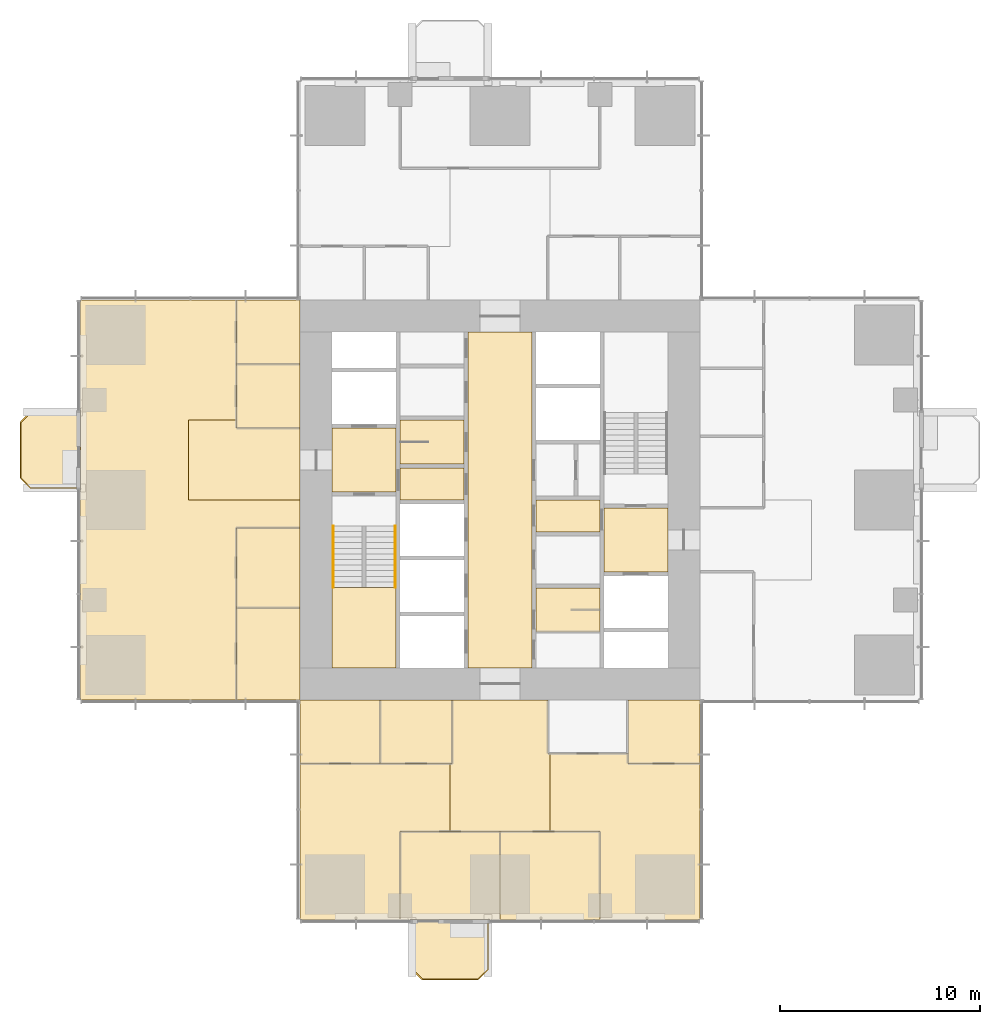
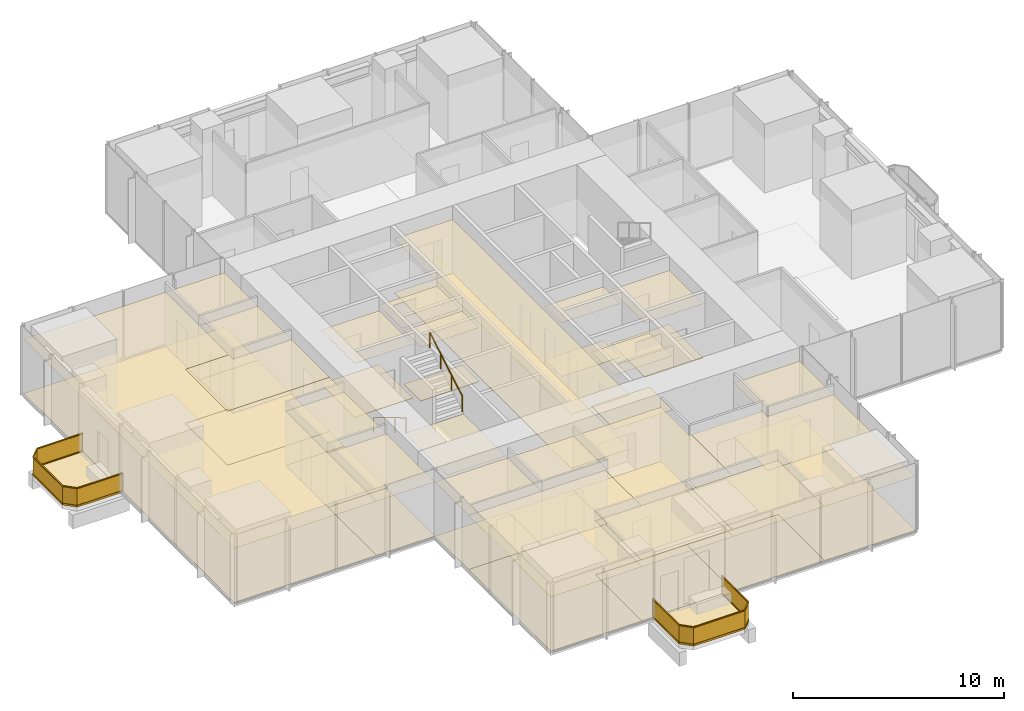
# One storey, part 11 of 13: 44 coverings, 4 railings.
"""IFC4 building model written with IfcOpenShell, lengths in metres."""

from ifc_helpers import new_model, si_unit, direction, frame, origin, origin_2d, place, context, subcontext, project, spatial, polyline, rectangle, circle, outline, extrude, material, layer, layer_set, type_object, element, save


model = new_model("IFC4")

# Units and contexts
model_context = context("Model", 3, precision=1e-05, world=origin(), true_north=direction((0.0, 1.0)))
body_context = subcontext(model_context, "Body", "Model", "MODEL_VIEW")
ifc_project = project(units=[si_unit("LENGTHUNIT", "METRE"), si_unit("AREAUNIT", "SQUARE_METRE"), si_unit("VOLUMEUNIT", "CUBIC_METRE"), si_unit("PLANEANGLEUNIT", "RADIAN"), si_unit("MASSUNIT", "GRAM", prefix="KILO")], contexts=[model_context])

# Site, building, storey
site_placement = place(None, origin())
site = spatial("IfcSite", under=ifc_project, at=site_placement, CompositionType="ELEMENT")
building_placement = place(site_placement, origin())
building = spatial("IfcBuilding", under=site, at=building_placement, Name="Svetlomir Tower", CompositionType="ELEMENT")
storey_placement = place(building_placement, frame((0.0, 0.0, 124.5)))
storey = spatial("IfcBuildingStorey", under=building, at=storey_placement, Name="L29", CompositionType="ELEMENT", Elevation=124.5)

# Railings
ifc_material_1 = material(Name="Bronze anodised aluminium and laminated glass", Category="aluminium")
railing_type_1 = type_object("IfcRailingType", Name="BALCONY GUARD GR1 1100", PredefinedType="GUARDRAIL", material=ifc_material_1)
railing_1_placement = place(storey_placement, frame((16.60009765625, 0.0, 0.0)))
element("IfcRailing", 1, at=railing_1_placement, inside=storey, type_object=railing_type_1, Name="Balcony guard S L29", PredefinedType="GUARDRAIL", context=body_context, shape_type="SweptSolid", body=[
    extrude(rectangle(XDim=0.06005859375, YDim=0.10009765625, at=origin_2d()), frame((0.0, 0.0, 0.050048828125), z_axis=(0.0, -1.0, 0.0), x_axis=(1.0, 0.0, 0.0)), (0.0, 0.0, 1.0), 2.5),
    extrude(rectangle(XDim=0.021484375, YDim=0.960205078125, at=origin_2d()), frame((0.0, 0.0, 0.580078125), z_axis=(0.0, -1.0, 0.0), x_axis=(1.0, 0.0, 0.0)), (0.0, 0.0, 1.0), 2.5),
    extrude(rectangle(XDim=0.06005859375, YDim=0.0400390625, at=origin_2d()), frame((0.0, 0.0, 1.080078125), z_axis=(0.0, -1.0, 0.0), x_axis=(1.0, 0.0, 0.0)), (0.0, 0.0, 1.0), 2.5),
    extrude(rectangle(XDim=0.06005859375, YDim=0.10009765625, at=origin_2d()), frame((0.0, -2.5, 0.050048828125), z_axis=(0.707106781187, -0.707106781187, 0.0), x_axis=(0.707106781187, 0.707106781187, 0.0)), (0.0, 0.0, 1.0), 0.70703125),
    extrude(rectangle(XDim=0.021484375, YDim=0.960205078125, at=origin_2d()), frame((0.0, -2.5, 0.580078125), z_axis=(0.707106781187, -0.707106781187, 0.0), x_axis=(0.707106781187, 0.707106781187, 0.0)), (0.0, 0.0, 1.0), 0.70703125),
    extrude(rectangle(XDim=0.06005859375, YDim=0.0400390625, at=origin_2d()), frame((0.0, -2.5, 1.080078125), z_axis=(0.707106781187, -0.707106781187, 0.0), x_axis=(0.707106781187, 0.707106781187, 0.0)), (0.0, 0.0, 1.0), 0.70703125),
    extrude(rectangle(XDim=0.06005859375, YDim=0.10009765625, at=origin_2d()), frame((0.5, -3.0, 0.050048828125), z_axis=(1.0, 0.0, 0.0), x_axis=(0.0, 1.0, 0.0)), (0.0, 0.0, 1.0), 2.7998046875),
    extrude(rectangle(XDim=0.021484375, YDim=0.960205078125, at=origin_2d()), frame((0.5, -3.0, 0.580078125), z_axis=(1.0, 0.0, 0.0), x_axis=(0.0, 1.0, 0.0)), (0.0, 0.0, 1.0), 2.7998046875),
    extrude(rectangle(XDim=0.06005859375, YDim=0.0400390625, at=origin_2d()), frame((0.5, -3.0, 1.080078125), z_axis=(1.0, 0.0, 0.0), x_axis=(0.0, 1.0, 0.0)), (0.0, 0.0, 1.0), 2.7998046875),
    extrude(rectangle(XDim=0.06005859375, YDim=0.10009765625, at=origin_2d()), frame((3.2998046875, -3.0, 0.050048828125), z_axis=(0.707106781187, 0.707106781187, 0.0), x_axis=(-0.707106781187, 0.707106781187, 0.0)), (0.0, 0.0, 1.0), 0.70703125),
    extrude(rectangle(XDim=0.021484375, YDim=0.960205078125, at=origin_2d()), frame((3.2998046875, -3.0, 0.580078125), z_axis=(0.707106781187, 0.707106781187, 0.0), x_axis=(-0.707106781187, 0.707106781187, 0.0)), (0.0, 0.0, 1.0), 0.70703125),
    extrude(rectangle(XDim=0.06005859375, YDim=0.0400390625, at=origin_2d()), frame((3.2998046875, -3.0, 1.080078125), z_axis=(0.707106781187, 0.707106781187, 0.0), x_axis=(-0.707106781187, 0.707106781187, 0.0)), (0.0, 0.0, 1.0), 0.70703125),
    extrude(rectangle(XDim=0.06005859375, YDim=0.10009765625, at=origin_2d()), frame((3.7998046875, -2.5, 0.050048828125), z_axis=(0.0, 1.0, 0.0), x_axis=(-1.0, 0.0, 0.0)), (0.0, 0.0, 1.0), 2.5),
    extrude(rectangle(XDim=0.021484375, YDim=0.960205078125, at=origin_2d()), frame((3.7998046875, -2.5, 0.580078125), z_axis=(0.0, 1.0, 0.0), x_axis=(-1.0, 0.0, 0.0)), (0.0, 0.0, 1.0), 2.5),
    extrude(rectangle(XDim=0.06005859375, YDim=0.0400390625, at=origin_2d()), frame((3.7998046875, -2.5, 1.080078125), z_axis=(0.0, 1.0, 0.0), x_axis=(-1.0, 0.0, 0.0)), (0.0, 0.0, 1.0), 2.5),
])
railing_2_placement = place(storey_placement, frame((0.0, 25.39990234375, 0.0)))
element("IfcRailing", 2, at=railing_2_placement, inside=storey, type_object=railing_type_1, Name="Balcony guard W L29", PredefinedType="GUARDRAIL", context=body_context, shape_type="SweptSolid", body=[
    extrude(rectangle(XDim=0.06005859375, YDim=0.10009765625, at=origin_2d()), frame((0.0, 0.0, 0.050048828125), z_axis=(-1.0, 0.0, 0.0), x_axis=(0.0, -1.0, 0.0)), (0.0, 0.0, 1.0), 2.5),
    extrude(rectangle(XDim=0.021484375, YDim=0.960205078125, at=origin_2d()), frame((0.0, 0.0, 0.580078125), z_axis=(-1.0, 0.0, 0.0), x_axis=(0.0, -1.0, 0.0)), (0.0, 0.0, 1.0), 2.5),
    extrude(rectangle(XDim=0.06005859375, YDim=0.0400390625, at=origin_2d()), frame((0.0, 0.0, 1.080078125), z_axis=(-1.0, 0.0, 0.0), x_axis=(0.0, -1.0, 0.0)), (0.0, 0.0, 1.0), 2.5),
    extrude(rectangle(XDim=0.06005859375, YDim=0.10009765625, at=origin_2d()), frame((-2.5, 0.0, 0.050048828125), z_axis=(-0.707106781187, -0.707106781187, 0.0), x_axis=(0.707106781187, -0.707106781187, 0.0)), (0.0, 0.0, 1.0), 0.70703125),
    extrude(rectangle(XDim=0.021484375, YDim=0.960205078125, at=origin_2d()), frame((-2.5, 0.0, 0.580078125), z_axis=(-0.707106781187, -0.707106781187, 0.0), x_axis=(0.707106781187, -0.707106781187, 0.0)), (0.0, 0.0, 1.0), 0.70703125),
    extrude(rectangle(XDim=0.06005859375, YDim=0.0400390625, at=origin_2d()), frame((-2.5, 0.0, 1.080078125), z_axis=(-0.707106781187, -0.707106781187, 0.0), x_axis=(0.707106781187, -0.707106781187, 0.0)), (0.0, 0.0, 1.0), 0.70703125),
    extrude(rectangle(XDim=0.06005859375, YDim=0.10009765625, at=origin_2d()), frame((-3.0, -0.5, 0.050048828125), z_axis=(0.0, -1.0, 0.0), x_axis=(1.0, 0.0, 0.0)), (0.0, 0.0, 1.0), 2.7998046875),
    extrude(rectangle(XDim=0.021484375, YDim=0.960205078125, at=origin_2d()), frame((-3.0, -0.5, 0.580078125), z_axis=(0.0, -1.0, 0.0), x_axis=(1.0, 0.0, 0.0)), (0.0, 0.0, 1.0), 2.7998046875),
    extrude(rectangle(XDim=0.06005859375, YDim=0.0400390625, at=origin_2d()), frame((-3.0, -0.5, 1.080078125), z_axis=(0.0, -1.0, 0.0), x_axis=(1.0, 0.0, 0.0)), (0.0, 0.0, 1.0), 2.7998046875),
    extrude(rectangle(XDim=0.06005859375, YDim=0.10009765625, at=origin_2d()), frame((-3.0, -3.2998046875, 0.050048828125), z_axis=(0.707106781187, -0.707106781187, 0.0), x_axis=(0.707106781187, 0.707106781187, 0.0)), (0.0, 0.0, 1.0), 0.70703125),
    extrude(rectangle(XDim=0.021484375, YDim=0.960205078125, at=origin_2d()), frame((-3.0, -3.2998046875, 0.580078125), z_axis=(0.707106781187, -0.707106781187, 0.0), x_axis=(0.707106781187, 0.707106781187, 0.0)), (0.0, 0.0, 1.0), 0.70703125),
    extrude(rectangle(XDim=0.06005859375, YDim=0.0400390625, at=origin_2d()), frame((-3.0, -3.2998046875, 1.080078125), z_axis=(0.707106781187, -0.707106781187, 0.0), x_axis=(0.707106781187, 0.707106781187, 0.0)), (0.0, 0.0, 1.0), 0.70703125),
    extrude(rectangle(XDim=0.06005859375, YDim=0.10009765625, at=origin_2d()), frame((-2.5, -3.7998046875, 0.050048828125), z_axis=(1.0, 0.0, 0.0), x_axis=(0.0, 1.0, 0.0)), (0.0, 0.0, 1.0), 2.5),
    extrude(rectangle(XDim=0.021484375, YDim=0.960205078125, at=origin_2d()), frame((-2.5, -3.7998046875, 0.580078125), z_axis=(1.0, 0.0, 0.0), x_axis=(0.0, 1.0, 0.0)), (0.0, 0.0, 1.0), 2.5),
    extrude(rectangle(XDim=0.06005859375, YDim=0.0400390625, at=origin_2d()), frame((-2.5, -3.7998046875, 1.080078125), z_axis=(1.0, 0.0, 0.0), x_axis=(0.0, 1.0, 0.0)), (0.0, 0.0, 1.0), 2.5),
])

# Coverings
ifc_material_2 = material(Name="Granite paving slabs on pedestals", Category="masonry")
ifc_layer_1 = layer(ifc_material_2, 0.0400390625)
ifc_layer_set_1 = layer_set([ifc_layer_1], Name="Granite paving slabs on pedestals")
covering_type_1 = type_object("IfcCoveringType", Name="BALCONY PAVING 40", PredefinedType="USERDEFINED", material=ifc_layer_set_1)
covering_1_placement = place(storey_placement, origin())
element("IfcCovering", 3, at=covering_1_placement, inside=storey, type_object=covering_type_1, Name="Balcony paving S L29", ObjectType="BALCONY PAVING", PredefinedType="USERDEFINED", context=body_context, shape_type="SweptSolid", body=[
    extrude(outline(polyline([(16.60009765625, -2.5), (17.10009765625, -3.0), (19.89990234375, -3.0), (20.39990234375, -2.5), (20.39990234375, 0.0), (16.60009765625, 0.0), (16.60009765625, -2.5)])), origin(), (0.0, 0.0, 1.0), 0.0400390625),
])
covering_2_placement = place(storey_placement, origin())
element("IfcCovering", 4, at=covering_2_placement, inside=storey, type_object=covering_type_1, Name="Balcony paving W L29", ObjectType="BALCONY PAVING", PredefinedType="USERDEFINED", context=body_context, shape_type="SweptSolid", body=[
    extrude(outline(polyline([(-2.5, 21.60009765625), (0.0, 21.60009765625), (0.0, 25.39990234375), (-2.5, 25.39990234375), (-3.0, 24.89990234375), (-3.0, 22.10009765625), (-2.5, 21.60009765625)])), origin(), (0.0, 0.0, 1.0), 0.0400390625),
])
ifc_material_3 = material(Name="Carpet tile", Category="textile")
ifc_layer_2 = layer(ifc_material_3, 0.010009765625)
ifc_layer_set_2 = layer_set([ifc_layer_2], Name="Carpet tile")
covering_type_2 = type_object("IfcCoveringType", Name="CARPET TILE FLOOR 10", PredefinedType="FLOORING", material=ifc_layer_set_2)
covering_3_placement = place(storey_placement, origin())
element("IfcCovering", 5, at=covering_3_placement, inside=storey, type_object=covering_type_2, Name="Floor finish L29-16", PredefinedType="FLOORING", context=body_context, shape_type="SweptSolid", body=[
    extrude(outline(polyline([(11.0, 7.800048828125), (15.0, 7.800048828125), (15.0, 11.0), (11.0, 11.0), (11.0, 7.800048828125)])), origin(), (0.0, 0.0, 1.0), 0.010009765625),
])
covering_4_placement = place(storey_placement, origin())
element("IfcCovering", 6, at=covering_4_placement, inside=storey, type_object=covering_type_2, Name="Floor finish L29-17", PredefinedType="FLOORING", context=body_context, shape_type="SweptSolid", body=[
    extrude(outline(polyline([(15.0, 7.800048828125), (18.60009765625, 7.800048828125), (18.60009765625, 11.0), (15.0, 11.0), (15.0, 7.800048828125)])), origin(), (0.0, 0.0, 1.0), 0.010009765625),
])
covering_5_placement = place(storey_placement, origin())
element("IfcCovering", 7, at=covering_5_placement, inside=storey, type_object=covering_type_2, Name="Floor finish L29-19", PredefinedType="FLOORING", context=body_context, shape_type="SweptSolid", body=[
    extrude(outline(polyline([(27.39990234375, 7.800048828125), (31.0, 7.800048828125), (31.0, 11.0), (27.39990234375, 11.0), (27.39990234375, 7.800048828125)])), origin(), (0.0, 0.0, 1.0), 0.010009765625),
])
covering_6_placement = place(storey_placement, origin())
element("IfcCovering", 8, at=covering_6_placement, inside=storey, type_object=covering_type_2, Name="Floor finish L29-20", PredefinedType="FLOORING", context=body_context, shape_type="SweptSolid", body=[
    extrude(outline(polyline([(16.0, 0.0), (21.0, 0.0), (21.0, 4.39990234375), (16.0, 4.39990234375), (16.0, 0.0)])), origin(), (0.0, 0.0, 1.0), 0.010009765625),
])
covering_7_placement = place(storey_placement, origin())
element("IfcCovering", 9, at=covering_7_placement, inside=storey, type_object=covering_type_2, Name="Floor finish L29-21", PredefinedType="FLOORING", context=body_context, shape_type="SweptSolid", body=[
    extrude(outline(polyline([(21.0, 0.0), (26.0, 0.0), (26.0, 4.39990234375), (21.0, 4.39990234375), (21.0, 0.0)])), origin(), (0.0, 0.0, 1.0), 0.010009765625),
])
covering_8_placement = place(storey_placement, origin())
element("IfcCovering", 10, at=covering_8_placement, inside=storey, type_object=covering_type_2, Name="Floor finish L29-31", PredefinedType="FLOORING", context=body_context, shape_type="SweptSolid", body=[
    extrude(outline(polyline([(7.800048828125, 11.0), (11.0, 11.0), (11.0, 15.60009765625), (7.800048828125, 15.60009765625), (7.800048828125, 11.0)])), origin(), (0.0, 0.0, 1.0), 0.010009765625),
])
covering_9_placement = place(storey_placement, origin())
element("IfcCovering", 11, at=covering_9_placement, inside=storey, type_object=covering_type_2, Name="Floor finish L29-32", PredefinedType="FLOORING", context=body_context, shape_type="SweptSolid", body=[
    extrude(outline(polyline([(7.800048828125, 15.60009765625), (11.0, 15.60009765625), (11.0, 19.60009765625), (7.800048828125, 19.60009765625), (7.800048828125, 15.60009765625)])), origin(), (0.0, 0.0, 1.0), 0.010009765625),
])
covering_10_placement = place(storey_placement, origin())
element("IfcCovering", 12, at=covering_10_placement, inside=storey, type_object=covering_type_2, Name="Floor finish L29-33", PredefinedType="FLOORING", context=body_context, shape_type="SweptSolid", body=[
    extrude(outline(polyline([(7.800048828125, 24.60009765625), (11.0, 24.60009765625), (11.0, 27.800048828125), (7.800048828125, 27.800048828125), (7.800048828125, 24.60009765625)])), origin(), (0.0, 0.0, 1.0), 0.010009765625),
])
covering_11_placement = place(storey_placement, origin())
element("IfcCovering", 13, at=covering_11_placement, inside=storey, type_object=covering_type_2, Name="Floor finish L29-34", PredefinedType="FLOORING", context=body_context, shape_type="SweptSolid", body=[
    extrude(outline(polyline([(7.800048828125, 27.800048828125), (11.0, 27.800048828125), (11.0, 31.0), (7.800048828125, 31.0), (7.800048828125, 27.800048828125)])), origin(), (0.0, 0.0, 1.0), 0.010009765625),
])
covering_12_placement = place(storey_placement, origin())
element("IfcCovering", 14, at=covering_12_placement, inside=storey, type_object=covering_type_2, Name="Floor finish L29-35", PredefinedType="FLOORING", context=body_context, shape_type="SweptSolid", body=[
    extrude(outline(polyline([(18.5, 4.39990234375), (18.5, 7.800048828125), (18.60009765625, 7.800048828125), (18.60009765625, 11.0), (23.39990234375, 11.0), (23.39990234375, 8.300048828125), (23.5, 8.300048828125), (23.5, 4.39990234375), (18.5, 4.39990234375)])), origin(), (0.0, 0.0, 1.0), 0.010009765625),
])
covering_13_placement = place(storey_placement, origin())
element("IfcCovering", 15, at=covering_13_placement, inside=storey, type_object=covering_type_2, Name="Floor finish L29-37", PredefinedType="FLOORING", context=body_context, shape_type="SweptSolid", body=[
    extrude(outline(polyline([(5.39990234375, 21.0), (5.39990234375, 25.0), (7.800048828125, 25.0), (7.800048828125, 24.60009765625), (11.0, 24.60009765625), (11.0, 21.0), (5.39990234375, 21.0)])), origin(), (0.0, 0.0, 1.0), 0.010009765625),
])
covering_14_placement = place(storey_placement, origin())
element("IfcCovering", 16, at=covering_14_placement, inside=storey, type_object=covering_type_2, Name="Floor finish L29-39", PredefinedType="FLOORING", context=body_context, shape_type="SweptSolid", body=[
    extrude(outline(polyline([(18.5, 7.800048828125), (18.5, 4.39990234375), (16.0, 4.39990234375), (16.0, 0.0), (11.0, 0.0), (11.0, 7.800048828125), (18.5, 7.800048828125)])), origin(), (0.0, 0.0, 1.0), 0.010009765625),
])
covering_15_placement = place(storey_placement, origin())
element("IfcCovering", 17, at=covering_15_placement, inside=storey, type_object=covering_type_2, Name="Floor finish L29-40", PredefinedType="FLOORING", context=body_context, shape_type="SweptSolid", body=[
    extrude(outline(polyline([(27.39990234375, 7.800048828125), (31.0, 7.800048828125), (31.0, 0.0), (26.0, 0.0), (26.0, 4.39990234375), (23.5, 4.39990234375), (23.5, 8.300048828125), (27.39990234375, 8.300048828125), (27.39990234375, 7.800048828125)])), origin(), (0.0, 0.0, 1.0), 0.010009765625),
])
covering_16_placement = place(storey_placement, origin())
element("IfcCovering", 18, at=covering_16_placement, inside=storey, type_object=covering_type_2, Name="Floor finish L29-44", PredefinedType="FLOORING", context=body_context, shape_type="SweptSolid", body=[
    extrude(outline(polyline([(7.800048828125, 31.0), (7.800048828125, 25.0), (5.39990234375, 25.0), (5.39990234375, 21.0), (11.0, 21.0), (11.0, 19.60009765625), (7.800048828125, 19.60009765625), (7.800048828125, 11.0), (0.0, 11.0), (0.0, 31.0), (7.800048828125, 31.0)])), origin(), (0.0, 0.0, 1.0), 0.010009765625),
])
ifc_material_4 = material(Name="Ceramic floor tile", Category="ceramic")
ifc_layer_3 = layer(ifc_material_4, 0.014892578125)
ifc_layer_set_3 = layer_set([ifc_layer_3], Name="Ceramic floor tile")
covering_type_3 = type_object("IfcCoveringType", Name="CERAMIC TILE FLOOR 15", PredefinedType="FLOORING", material=ifc_layer_set_3)
covering_17_placement = place(storey_placement, origin())
element("IfcCovering", 19, at=covering_17_placement, inside=storey, type_object=covering_type_3, Name="Floor finish L29-09", PredefinedType="FLOORING", context=body_context, shape_type="SweptSolid", body=[
    extrude(outline(polyline([(22.800048828125, 14.39990234375), (26.0, 14.39990234375), (26.0, 16.60009765625), (22.800048828125, 16.60009765625), (22.800048828125, 14.39990234375)])), origin(), (0.0, 0.0, 1.0), 0.014892578125),
])

# Railings
ifc_material_5 = material(Name="Stainless steel", Category="steel")
railing_type_2 = type_object("IfcRailingType", Name="HANDRAIL HR1 900", PredefinedType="HANDRAIL", material=ifc_material_5)
railing_3_placement = place(storey_placement, frame((12.64990234375, 19.699951171875, 0.166748046875)))
element("IfcRailing", 20, at=railing_3_placement, inside=storey, type_object=railing_type_2, Name="Handrail S1 flight 1 L29", PredefinedType="HANDRAIL", context=body_context, shape_type="SweptSolid", body=[
    extrude(circle(Radius=0.02392578125, at=origin_2d()), frame((0.0, 0.0, 0.8759765625), z_axis=(0.0, -0.859290745958, 0.51148745235), x_axis=(1.0, 0.0, 0.0)), (0.0, 0.0, 1.0), 3.584228515625),
    extrude(circle(Radius=0.02099609375, at=origin_2d()), origin(), (0.0, 0.0, 1.0), 0.851806640625),
    extrude(circle(Radius=0.02099609375, at=origin_2d()), frame((0.0, -1.026611328125, 0.611083984375)), (0.0, 0.0, 1.0), 0.851806640625),
    extrude(circle(Radius=0.02099609375, at=origin_2d()), frame((0.0, -2.05322265625, 1.22216796875)), (0.0, 0.0, 1.0), 0.851806640625),
    extrude(circle(Radius=0.02099609375, at=origin_2d()), frame((0.0, -3.079833984375, 1.833251953125)), (0.0, 0.0, 1.0), 0.851806640625),
])
railing_4_placement = place(storey_placement, frame((15.75, 16.6201171875, 2.166748046875)))
element("IfcRailing", 21, at=railing_4_placement, inside=storey, type_object=railing_type_2, Name="Handrail S1 flight 2 L29", PredefinedType="HANDRAIL", context=body_context, shape_type="SweptSolid", body=[
    extrude(circle(Radius=0.02392578125, at=origin_2d()), frame((0.0, 0.0, 0.8759765625), z_axis=(0.0, 0.859290745958, 0.51148745235), x_axis=(-1.0, 0.0, 0.0)), (0.0, 0.0, 1.0), 3.584228515625),
    extrude(circle(Radius=0.02099609375, at=origin_2d()), origin(), (0.0, 0.0, 1.0), 0.851806640625),
    extrude(circle(Radius=0.02099609375, at=origin_2d()), frame((0.0, 1.026611328125, 0.611083984375)), (0.0, 0.0, 1.0), 0.851806640625),
    extrude(circle(Radius=0.02099609375, at=origin_2d()), frame((0.0, 2.05322265625, 1.22216796875)), (0.0, 0.0, 1.0), 0.851806640625),
    extrude(circle(Radius=0.02099609375, at=origin_2d()), frame((0.0, 3.079833984375, 1.833251953125)), (0.0, 0.0, 1.0), 0.851806640625),
])

# Coverings
ifc_material_6 = material(Name="Moisture resistant plasterboard ceiling", Category="gypsum")
ifc_layer_4 = layer(ifc_material_6, 0.012451171875)
ifc_layer_set_4 = layer_set([ifc_layer_4], Name="Moisture resistant plasterboard ceiling")
covering_type_4 = type_object("IfcCoveringType", Name="MOISTURE RESISTANT CEILING 12.5", PredefinedType="CEILING", material=ifc_layer_set_4)
covering_18_placement = place(storey_placement, frame((0.0, 0.0, 3.137451171875)))
element("IfcCovering", 22, at=covering_18_placement, inside=storey, type_object=covering_type_4, Name="Ceiling L29-04", PredefinedType="CEILING", context=body_context, shape_type="SweptSolid", body=[
    extrude(outline(polyline([(16.0, 22.800048828125), (19.199951171875, 22.800048828125), (19.199951171875, 25.0), (16.0, 25.0), (16.0, 22.800048828125)])), origin(), (0.0, 0.0, 1.0), 0.012451171875),
])
covering_19_placement = place(storey_placement, frame((0.0, 0.0, 3.137451171875)))
element("IfcCovering", 23, at=covering_19_placement, inside=storey, type_object=covering_type_4, Name="Ceiling L29-09", PredefinedType="CEILING", context=body_context, shape_type="SweptSolid", body=[
    extrude(outline(polyline([(22.800048828125, 14.39990234375), (26.0, 14.39990234375), (26.0, 16.60009765625), (22.800048828125, 16.60009765625), (22.800048828125, 14.39990234375)])), origin(), (0.0, 0.0, 1.0), 0.012451171875),
])
ifc_material_7 = material(Name="Gypsum plasterboard ceiling", Category="gypsum")
ifc_layer_5 = layer(ifc_material_7, 0.014892578125)
ifc_layer_set_5 = layer_set([ifc_layer_5], Name="Gypsum plasterboard ceiling")
covering_type_5 = type_object("IfcCoveringType", Name="PLASTERBOARD CEILING 15", PredefinedType="CEILING", material=ifc_layer_set_5)
covering_20_placement = place(storey_placement, frame((0.0, 0.0, 3.135009765625)))
element("IfcCovering", 24, at=covering_20_placement, inside=storey, type_object=covering_type_5, Name="Ceiling L29-02", PredefinedType="CEILING", context=body_context, shape_type="SweptSolid", body=[
    extrude(outline(polyline([(12.60009765625, 21.39990234375), (15.800048828125, 21.39990234375), (15.800048828125, 24.60009765625), (12.60009765625, 24.60009765625), (12.60009765625, 21.39990234375)])), origin(), (0.0, 0.0, 1.0), 0.014892578125),
])
covering_21_placement = place(storey_placement, frame((0.0, 0.0, 3.135009765625)))
element("IfcCovering", 25, at=covering_21_placement, inside=storey, type_object=covering_type_5, Name="Ceiling L29-03", PredefinedType="CEILING", context=body_context, shape_type="SweptSolid", body=[
    extrude(outline(polyline([(16.0, 21.0), (19.199951171875, 21.0), (19.199951171875, 22.60009765625), (16.0, 22.60009765625), (16.0, 21.0)])), origin(), (0.0, 0.0, 1.0), 0.014892578125),
])
covering_22_placement = place(storey_placement, frame((0.0, 0.0, 3.135009765625)))
element("IfcCovering", 26, at=covering_22_placement, inside=storey, type_object=covering_type_5, Name="Ceiling L29-07", PredefinedType="CEILING", context=body_context, shape_type="SweptSolid", body=[
    extrude(outline(polyline([(19.39990234375, 12.60009765625), (22.60009765625, 12.60009765625), (22.60009765625, 29.39990234375), (19.39990234375, 29.39990234375), (19.39990234375, 12.60009765625)])), origin(), (0.0, 0.0, 1.0), 0.014892578125),
])
covering_23_placement = place(storey_placement, frame((0.0, 0.0, 3.135009765625)))
element("IfcCovering", 27, at=covering_23_placement, inside=storey, type_object=covering_type_5, Name="Ceiling L29-11", PredefinedType="CEILING", context=body_context, shape_type="SweptSolid", body=[
    extrude(outline(polyline([(22.800048828125, 19.39990234375), (26.0, 19.39990234375), (26.0, 21.0), (22.800048828125, 21.0), (22.800048828125, 19.39990234375)])), origin(), (0.0, 0.0, 1.0), 0.014892578125),
])
covering_24_placement = place(storey_placement, frame((0.0, 0.0, 3.135009765625)))
element("IfcCovering", 28, at=covering_24_placement, inside=storey, type_object=covering_type_5, Name="Ceiling L29-12", PredefinedType="CEILING", context=body_context, shape_type="SweptSolid", body=[
    extrude(outline(polyline([(26.199951171875, 17.39990234375), (29.39990234375, 17.39990234375), (29.39990234375, 20.60009765625), (26.199951171875, 20.60009765625), (26.199951171875, 17.39990234375)])), origin(), (0.0, 0.0, 1.0), 0.014892578125),
])
ifc_material_8 = material(Name="Studded rubber floor finish", Category="rubber")
ifc_layer_6 = layer(ifc_material_8, 0.006103515625)
ifc_layer_set_6 = layer_set([ifc_layer_6], Name="Studded rubber floor finish")
covering_type_6 = type_object("IfcCoveringType", Name="RUBBER LANDING FINISH 6", PredefinedType="FLOORING", material=ifc_layer_set_6)
covering_25_placement = place(storey_placement, frame((0.0, 0.0, 2.0)))
element("IfcCovering", 29, at=covering_25_placement, inside=storey, type_object=covering_type_6, Name="Stair S1 landing finish L29", PredefinedType="FLOORING", context=body_context, shape_type="SweptSolid", body=[
    extrude(outline(polyline([(12.60009765625, 12.60009765625), (15.800048828125, 12.60009765625), (15.800048828125, 16.6201171875), (12.60009765625, 16.6201171875), (12.60009765625, 12.60009765625)])), origin(), (0.0, 0.0, 1.0), 0.006103515625),
])
ifc_material_9 = material(Name="Mineral fibre ceiling tile", Category="mineral")
ifc_layer_7 = layer(ifc_material_9, 0.02001953125)
ifc_layer_set_7 = layer_set([ifc_layer_7], Name="Mineral fibre ceiling tile")
covering_type_7 = type_object("IfcCoveringType", Name="SUSPENDED CEILING 20", PredefinedType="CEILING", material=ifc_layer_set_7)
covering_26_placement = place(storey_placement, frame((0.0, 0.0, 3.1298828125)))
element("IfcCovering", 30, at=covering_26_placement, inside=storey, type_object=covering_type_7, Name="Ceiling L29-16", PredefinedType="CEILING", context=body_context, shape_type="SweptSolid", body=[
    extrude(outline(polyline([(11.0, 7.800048828125), (15.0, 7.800048828125), (15.0, 11.0), (11.0, 11.0), (11.0, 7.800048828125)])), origin(), (0.0, 0.0, 1.0), 0.02001953125),
])
covering_27_placement = place(storey_placement, frame((0.0, 0.0, 3.1298828125)))
element("IfcCovering", 31, at=covering_27_placement, inside=storey, type_object=covering_type_7, Name="Ceiling L29-17", PredefinedType="CEILING", context=body_context, shape_type="SweptSolid", body=[
    extrude(outline(polyline([(15.0, 7.800048828125), (18.60009765625, 7.800048828125), (18.60009765625, 11.0), (15.0, 11.0), (15.0, 7.800048828125)])), origin(), (0.0, 0.0, 1.0), 0.02001953125),
])
covering_28_placement = place(storey_placement, frame((0.0, 0.0, 3.1298828125)))
element("IfcCovering", 32, at=covering_28_placement, inside=storey, type_object=covering_type_7, Name="Ceiling L29-19", PredefinedType="CEILING", context=body_context, shape_type="SweptSolid", body=[
    extrude(outline(polyline([(27.39990234375, 7.800048828125), (31.0, 7.800048828125), (31.0, 11.0), (27.39990234375, 11.0), (27.39990234375, 7.800048828125)])), origin(), (0.0, 0.0, 1.0), 0.02001953125),
])
covering_29_placement = place(storey_placement, frame((0.0, 0.0, 3.1298828125)))
element("IfcCovering", 33, at=covering_29_placement, inside=storey, type_object=covering_type_7, Name="Ceiling L29-20", PredefinedType="CEILING", context=body_context, shape_type="SweptSolid", body=[
    extrude(outline(polyline([(16.0, 0.0), (21.0, 0.0), (21.0, 4.39990234375), (16.0, 4.39990234375), (16.0, 0.0)])), origin(), (0.0, 0.0, 1.0), 0.02001953125),
])
covering_30_placement = place(storey_placement, frame((0.0, 0.0, 3.1298828125)))
element("IfcCovering", 34, at=covering_30_placement, inside=storey, type_object=covering_type_7, Name="Ceiling L29-21", PredefinedType="CEILING", context=body_context, shape_type="SweptSolid", body=[
    extrude(outline(polyline([(21.0, 0.0), (26.0, 0.0), (26.0, 4.39990234375), (21.0, 4.39990234375), (21.0, 0.0)])), origin(), (0.0, 0.0, 1.0), 0.02001953125),
])
covering_31_placement = place(storey_placement, frame((0.0, 0.0, 3.1298828125)))
element("IfcCovering", 35, at=covering_31_placement, inside=storey, type_object=covering_type_7, Name="Ceiling L29-31", PredefinedType="CEILING", context=body_context, shape_type="SweptSolid", body=[
    extrude(outline(polyline([(7.800048828125, 11.0), (11.0, 11.0), (11.0, 15.60009765625), (7.800048828125, 15.60009765625), (7.800048828125, 11.0)])), origin(), (0.0, 0.0, 1.0), 0.02001953125),
])
covering_32_placement = place(storey_placement, frame((0.0, 0.0, 3.1298828125)))
element("IfcCovering", 36, at=covering_32_placement, inside=storey, type_object=covering_type_7, Name="Ceiling L29-32", PredefinedType="CEILING", context=body_context, shape_type="SweptSolid", body=[
    extrude(outline(polyline([(7.800048828125, 15.60009765625), (11.0, 15.60009765625), (11.0, 19.60009765625), (7.800048828125, 19.60009765625), (7.800048828125, 15.60009765625)])), origin(), (0.0, 0.0, 1.0), 0.02001953125),
])
covering_33_placement = place(storey_placement, frame((0.0, 0.0, 3.1298828125)))
element("IfcCovering", 37, at=covering_33_placement, inside=storey, type_object=covering_type_7, Name="Ceiling L29-33", PredefinedType="CEILING", context=body_context, shape_type="SweptSolid", body=[
    extrude(outline(polyline([(7.800048828125, 24.60009765625), (11.0, 24.60009765625), (11.0, 27.800048828125), (7.800048828125, 27.800048828125), (7.800048828125, 24.60009765625)])), origin(), (0.0, 0.0, 1.0), 0.02001953125),
])
covering_34_placement = place(storey_placement, frame((0.0, 0.0, 3.1298828125)))
element("IfcCovering", 38, at=covering_34_placement, inside=storey, type_object=covering_type_7, Name="Ceiling L29-34", PredefinedType="CEILING", context=body_context, shape_type="SweptSolid", body=[
    extrude(outline(polyline([(7.800048828125, 27.800048828125), (11.0, 27.800048828125), (11.0, 31.0), (7.800048828125, 31.0), (7.800048828125, 27.800048828125)])), origin(), (0.0, 0.0, 1.0), 0.02001953125),
])
covering_35_placement = place(storey_placement, frame((0.0, 0.0, 3.1298828125)))
element("IfcCovering", 39, at=covering_35_placement, inside=storey, type_object=covering_type_7, Name="Ceiling L29-35", PredefinedType="CEILING", context=body_context, shape_type="SweptSolid", body=[
    extrude(outline(polyline([(18.5, 4.39990234375), (18.5, 7.800048828125), (18.60009765625, 7.800048828125), (18.60009765625, 11.0), (23.39990234375, 11.0), (23.39990234375, 8.300048828125), (23.5, 8.300048828125), (23.5, 4.39990234375), (18.5, 4.39990234375)])), origin(), (0.0, 0.0, 1.0), 0.02001953125),
])
covering_36_placement = place(storey_placement, frame((0.0, 0.0, 3.1298828125)))
element("IfcCovering", 40, at=covering_36_placement, inside=storey, type_object=covering_type_7, Name="Ceiling L29-37", PredefinedType="CEILING", context=body_context, shape_type="SweptSolid", body=[
    extrude(outline(polyline([(5.39990234375, 21.0), (5.39990234375, 25.0), (7.800048828125, 25.0), (7.800048828125, 24.60009765625), (11.0, 24.60009765625), (11.0, 21.0), (5.39990234375, 21.0)])), origin(), (0.0, 0.0, 1.0), 0.02001953125),
])
covering_37_placement = place(storey_placement, frame((0.0, 0.0, 3.1298828125)))
element("IfcCovering", 41, at=covering_37_placement, inside=storey, type_object=covering_type_7, Name="Ceiling L29-39", PredefinedType="CEILING", context=body_context, shape_type="SweptSolid", body=[
    extrude(outline(polyline([(18.5, 7.800048828125), (18.5, 4.39990234375), (16.0, 4.39990234375), (16.0, 0.0), (11.0, 0.0), (11.0, 7.800048828125), (18.5, 7.800048828125)])), origin(), (0.0, 0.0, 1.0), 0.02001953125),
])
covering_38_placement = place(storey_placement, frame((0.0, 0.0, 3.1298828125)))
element("IfcCovering", 42, at=covering_38_placement, inside=storey, type_object=covering_type_7, Name="Ceiling L29-40", PredefinedType="CEILING", context=body_context, shape_type="SweptSolid", body=[
    extrude(outline(polyline([(27.39990234375, 7.800048828125), (31.0, 7.800048828125), (31.0, 0.0), (26.0, 0.0), (26.0, 4.39990234375), (23.5, 4.39990234375), (23.5, 8.300048828125), (27.39990234375, 8.300048828125), (27.39990234375, 7.800048828125)])), origin(), (0.0, 0.0, 1.0), 0.02001953125),
])
covering_39_placement = place(storey_placement, frame((0.0, 0.0, 3.1298828125)))
element("IfcCovering", 43, at=covering_39_placement, inside=storey, type_object=covering_type_7, Name="Ceiling L29-44", PredefinedType="CEILING", context=body_context, shape_type="SweptSolid", body=[
    extrude(outline(polyline([(7.800048828125, 31.0), (7.800048828125, 25.0), (5.39990234375, 25.0), (5.39990234375, 21.0), (11.0, 21.0), (11.0, 19.60009765625), (7.800048828125, 19.60009765625), (7.800048828125, 11.0), (0.0, 11.0), (0.0, 31.0), (7.800048828125, 31.0)])), origin(), (0.0, 0.0, 1.0), 0.02001953125),
])
ifc_material_10 = material(Name="Bronze-aggregate terrazzo", Category="stone")
ifc_layer_8 = layer(ifc_material_10, 0.030029296875)
ifc_layer_set_8 = layer_set([ifc_layer_8], Name="Bronze-aggregate terrazzo")
covering_type_8 = type_object("IfcCoveringType", Name="TERRAZZO FLOOR 30", PredefinedType="FLOORING", material=ifc_layer_set_8)
covering_40_placement = place(storey_placement, origin())
element("IfcCovering", 44, at=covering_40_placement, inside=storey, type_object=covering_type_8, Name="Floor finish L29-02", PredefinedType="FLOORING", context=body_context, shape_type="SweptSolid", body=[
    extrude(outline(polyline([(12.60009765625, 21.39990234375), (15.800048828125, 21.39990234375), (15.800048828125, 24.60009765625), (12.60009765625, 24.60009765625), (12.60009765625, 21.39990234375)])), origin(), (0.0, 0.0, 1.0), 0.030029296875),
])
covering_41_placement = place(storey_placement, origin())
element("IfcCovering", 45, at=covering_41_placement, inside=storey, type_object=covering_type_8, Name="Floor finish L29-03", PredefinedType="FLOORING", context=body_context, shape_type="SweptSolid", body=[
    extrude(outline(polyline([(16.0, 21.0), (19.199951171875, 21.0), (19.199951171875, 22.60009765625), (16.0, 22.60009765625), (16.0, 21.0)])), origin(), (0.0, 0.0, 1.0), 0.030029296875),
])
covering_42_placement = place(storey_placement, origin())
element("IfcCovering", 46, at=covering_42_placement, inside=storey, type_object=covering_type_8, Name="Floor finish L29-07", PredefinedType="FLOORING", context=body_context, shape_type="SweptSolid", body=[
    extrude(outline(polyline([(19.39990234375, 12.60009765625), (22.60009765625, 12.60009765625), (22.60009765625, 29.39990234375), (19.39990234375, 29.39990234375), (19.39990234375, 12.60009765625)])), origin(), (0.0, 0.0, 1.0), 0.030029296875),
])
covering_43_placement = place(storey_placement, origin())
element("IfcCovering", 47, at=covering_43_placement, inside=storey, type_object=covering_type_8, Name="Floor finish L29-11", PredefinedType="FLOORING", context=body_context, shape_type="SweptSolid", body=[
    extrude(outline(polyline([(22.800048828125, 19.39990234375), (26.0, 19.39990234375), (26.0, 21.0), (22.800048828125, 21.0), (22.800048828125, 19.39990234375)])), origin(), (0.0, 0.0, 1.0), 0.030029296875),
])
covering_44_placement = place(storey_placement, origin())
element("IfcCovering", 48, at=covering_44_placement, inside=storey, type_object=covering_type_8, Name="Floor finish L29-12", PredefinedType="FLOORING", context=body_context, shape_type="SweptSolid", body=[
    extrude(outline(polyline([(26.199951171875, 17.39990234375), (29.39990234375, 17.39990234375), (29.39990234375, 20.60009765625), (26.199951171875, 20.60009765625), (26.199951171875, 17.39990234375)])), origin(), (0.0, 0.0, 1.0), 0.030029296875),
])

save(model, "model.ifc")
